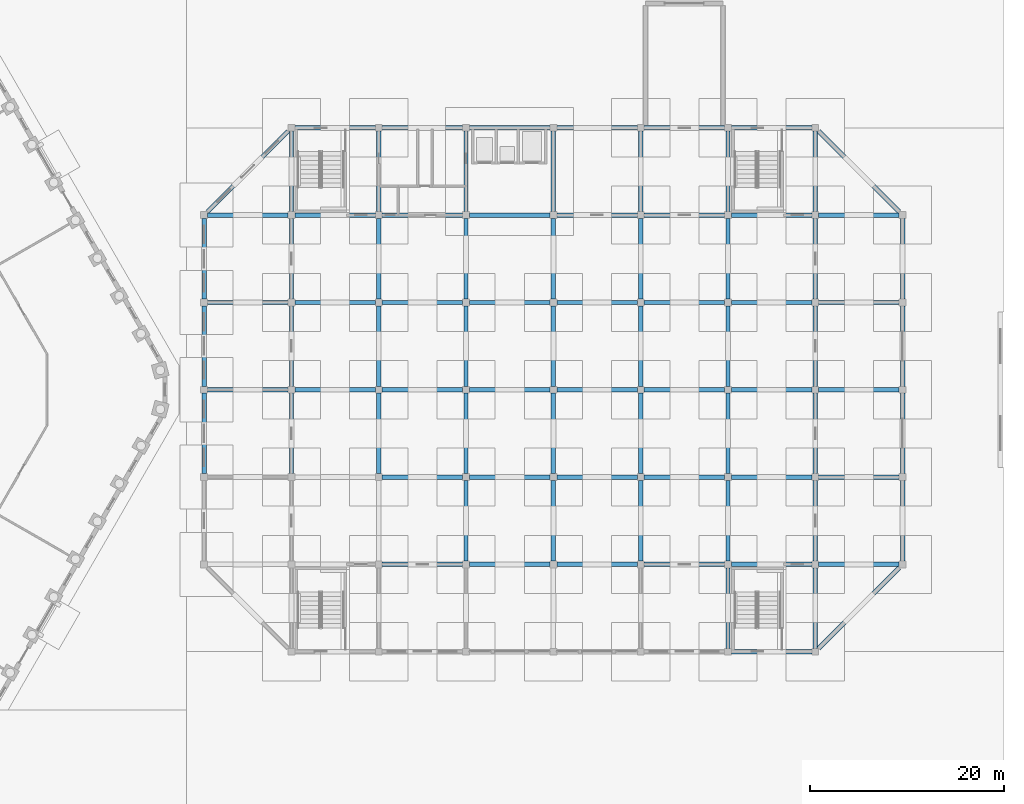
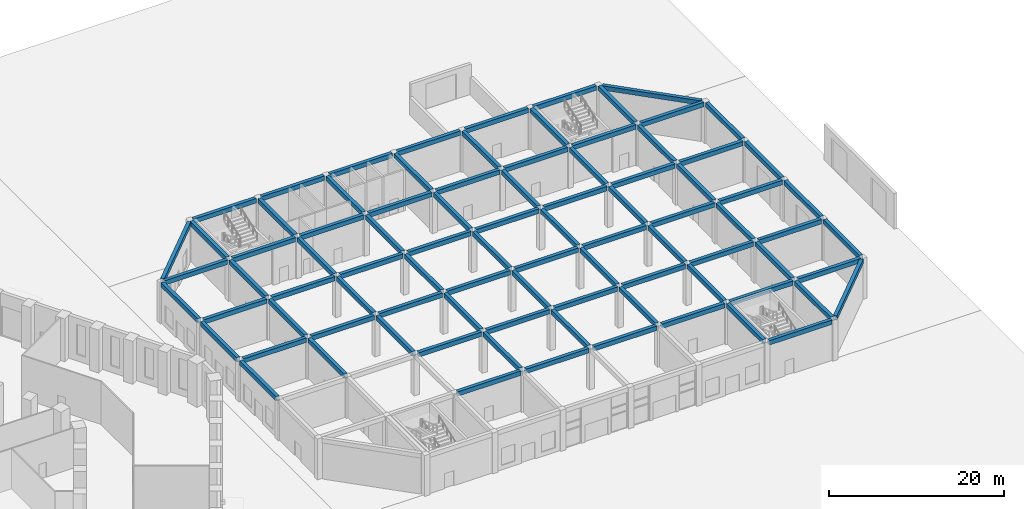
# One storey, part 9 of 44: 88 beams.
"""IFC4 building model written with IfcOpenShell, lengths in metres."""

from ifc_helpers import new_model, si_unit, direction, frame, origin, origin_2d, place, context, subcontext, project, spatial, rectangle, extrude, material, material_profile, profile_set, type_object, element, save


model = new_model("IFC4")

# Units and contexts
model_context = context("Model", 3, precision=1e-05, world=origin(), true_north=direction((0.0, 1.0)))
body_context = subcontext(model_context, "Body", "Model", "MODEL_VIEW")
ifc_project = project(units=[si_unit("LENGTHUNIT", "METRE"), si_unit("AREAUNIT", "SQUARE_METRE"), si_unit("VOLUMEUNIT", "CUBIC_METRE"), si_unit("PLANEANGLEUNIT", "RADIAN"), si_unit("MASSUNIT", "GRAM", prefix="KILO")], contexts=[model_context])

# Site, building, storey
site_placement = place(None, origin())
site = spatial("IfcSite", under=ifc_project, at=site_placement, CompositionType="ELEMENT")
building_placement = place(site_placement, origin())
building = spatial("IfcBuilding", under=site, at=building_placement, Name="Dhurran Vertical Campus", CompositionType="ELEMENT")
storey_placement = place(building_placement, origin())
storey = spatial("IfcBuildingStorey", under=building, at=storey_placement, Name="L00", CompositionType="ELEMENT", Elevation=0.0)

# Beams
ifc_material = material(Name="Concrete C40/50", Category="concrete")
ifc_material_profile = material_profile(ifc_material, rectangle(XDim=0.449951171875, YDim=0.6201171875, at=origin_2d()), Name="hl-girder 450x620")
ifc_profile_set = profile_set([ifc_material_profile], Name="Concrete C40/50")
beam_type = type_object("IfcBeamType", Name="hl-girder 450x620", PredefinedType="BEAM", material=ifc_profile_set)
for number, where, z_axis, x_axis, name in (
    (1, (61.5, -8.64990234375, 5.409912109375), (0.0, 1.0, 0.0), (-1.0, 0.0, 0.0), "Hall girder L00-004"),
    (2, (61.5, 0.35009765625, 5.409912109375), (0.0, 1.0, 0.0), (-1.0, 0.0, 0.0), "Hall girder L00-006"),
    (3, (61.85009765625, 0.0, 5.409912109375), (1.0, 0.0, 0.0), (0.0, 1.0, 0.0), "Hall girder L00-007"),
    (4, (61.5, 9.35009765625, 5.409912109375), (0.0, 1.0, 0.0), (-1.0, 0.0, 0.0), "Hall girder L00-008"),
    (5, (61.85009765625, 9.0, 5.409912109375), (1.0, 0.0, 0.0), (0.0, 1.0, 0.0), "Hall girder L00-009"),
    (6, (61.85009765625, 18.0, 5.409912109375), (1.0, 0.0, 0.0), (0.0, 1.0, 0.0), "Hall girder L00-010"),
    (7, (70.5, -8.64990234375, 5.409912109375), (0.0, 1.0, 0.0), (-1.0, 0.0, 0.0), "Hall girder L00-015"),
    (8, (70.5, 0.35009765625, 5.409912109375), (0.0, 1.0, 0.0), (-1.0, 0.0, 0.0), "Hall girder L00-017"),
    (9, (70.85009765625, 0.0, 5.409912109375), (1.0, 0.0, 0.0), (0.0, 1.0, 0.0), "Hall girder L00-018"),
    (10, (70.5, 9.35009765625, 5.409912109375), (0.0, 1.0, 0.0), (-1.0, 0.0, 0.0), "Hall girder L00-019"),
    (11, (70.85009765625, 9.0, 5.409912109375), (1.0, 0.0, 0.0), (0.0, 1.0, 0.0), "Hall girder L00-020"),
    (12, (70.5, 18.35009765625, 5.409912109375), (0.0, 1.0, 0.0), (-1.0, 0.0, 0.0), "Hall girder L00-021"),
    (13, (70.85009765625, 18.0, 5.409912109375), (1.0, 0.0, 0.0), (0.0, 1.0, 0.0), "Hall girder L00-022"),
):
    element("IfcBeam", number, at=place(storey_placement, frame(where, z_axis=z_axis, x_axis=x_axis)), inside=storey, type_object=beam_type, Name=name, PredefinedType="BEAM", context=body_context, shape_type="SweptSolid", body=[
        extrude(rectangle(XDim=0.449951171875, YDim=0.6201171875, at=origin_2d()), origin(), (0.0, 0.0, 1.0), 8.2998046875),
    ])
beam_1_placement = place(storey_placement, frame((70.14990234375, 26.64990234375, 5.409912109375), z_axis=(-0.707106781187, -0.707106781187, 0.0), x_axis=(0.707106781187, -0.707106781187, 0.0)))
element("IfcBeam", 14, at=beam_1_placement, inside=storey, type_object=beam_type, Name="Hall girder L00-023", PredefinedType="BEAM", context=body_context, shape_type="SweptSolid", body=[
    extrude(rectangle(XDim=0.449951171875, YDim=0.6201171875, at=origin_2d()), origin(), (0.0, 0.0, 1.0), 11.73779296875),
])
for number, where, z_axis, x_axis, name in (
    (15, (70.85009765625, 27.0, 5.409912109375), (1.0, 0.0, 0.0), (0.0, 1.0, 0.0), "Hall girder L00-024"),
    (16, (79.85009765625, -18.0, 5.409912109375), (1.0, 0.0, 0.0), (0.0, 1.0, 0.0), "Hall girder L00-028"),
    (17, (79.5, -8.64990234375, 5.409912109375), (0.0, 1.0, 0.0), (-1.0, 0.0, 0.0), "Hall girder L00-029"),
    (18, (79.85009765625, -9.0, 5.409912109375), (1.0, 0.0, 0.0), (0.0, 1.0, 0.0), "Hall girder L00-030"),
    (19, (79.5, 0.35009765625, 5.409912109375), (0.0, 1.0, 0.0), (-1.0, 0.0, 0.0), "Hall girder L00-031"),
    (20, (79.85009765625, 0.0, 5.409912109375), (1.0, 0.0, 0.0), (0.0, 1.0, 0.0), "Hall girder L00-032"),
    (21, (79.5, 9.35009765625, 5.409912109375), (0.0, 1.0, 0.0), (-1.0, 0.0, 0.0), "Hall girder L00-033"),
    (22, (79.85009765625, 9.0, 5.409912109375), (1.0, 0.0, 0.0), (0.0, 1.0, 0.0), "Hall girder L00-034"),
    (23, (79.5, 18.35009765625, 5.409912109375), (0.0, 1.0, 0.0), (-1.0, 0.0, 0.0), "Hall girder L00-035"),
    (24, (79.85009765625, 18.0, 5.409912109375), (1.0, 0.0, 0.0), (0.0, 1.0, 0.0), "Hall girder L00-036"),
    (25, (79.85009765625, 27.0, 5.409912109375), (1.0, 0.0, 0.0), (0.0, 1.0, 0.0), "Hall girder L00-037"),
    (26, (88.5, -17.64990234375, 5.409912109375), (0.0, 1.0, 0.0), (-1.0, 0.0, 0.0), "Hall girder L00-040"),
    (27, (88.85009765625, -18.0, 5.409912109375), (1.0, 0.0, 0.0), (0.0, 1.0, 0.0), "Hall girder L00-041"),
    (28, (88.5, -8.64990234375, 5.409912109375), (0.0, 1.0, 0.0), (-1.0, 0.0, 0.0), "Hall girder L00-042"),
    (29, (88.85009765625, -9.0, 5.409912109375), (1.0, 0.0, 0.0), (0.0, 1.0, 0.0), "Hall girder L00-043"),
    (30, (88.5, 0.35009765625, 5.409912109375), (0.0, 1.0, 0.0), (-1.0, 0.0, 0.0), "Hall girder L00-044"),
    (31, (88.85009765625, 0.0, 5.409912109375), (1.0, 0.0, 0.0), (0.0, 1.0, 0.0), "Hall girder L00-045"),
    (32, (88.5, 9.35009765625, 5.409912109375), (0.0, 1.0, 0.0), (-1.0, 0.0, 0.0), "Hall girder L00-046"),
    (33, (88.85009765625, 9.0, 5.409912109375), (1.0, 0.0, 0.0), (0.0, 1.0, 0.0), "Hall girder L00-047"),
    (34, (88.5, 18.35009765625, 5.409912109375), (0.0, 1.0, 0.0), (-1.0, 0.0, 0.0), "Hall girder L00-048"),
    (35, (88.85009765625, 18.0, 5.409912109375), (1.0, 0.0, 0.0), (0.0, 1.0, 0.0), "Hall girder L00-049"),
    (36, (88.85009765625, 27.0, 5.409912109375), (1.0, 0.0, 0.0), (0.0, 1.0, 0.0), "Hall girder L00-050"),
    (37, (97.5, -17.64990234375, 5.409912109375), (0.0, 1.0, 0.0), (-1.0, 0.0, 0.0), "Hall girder L00-053"),
    (38, (97.85009765625, -18.0, 5.409912109375), (1.0, 0.0, 0.0), (0.0, 1.0, 0.0), "Hall girder L00-054"),
    (39, (97.5, -8.64990234375, 5.409912109375), (0.0, 1.0, 0.0), (-1.0, 0.0, 0.0), "Hall girder L00-055"),
    (40, (97.85009765625, -9.0, 5.409912109375), (1.0, 0.0, 0.0), (0.0, 1.0, 0.0), "Hall girder L00-056"),
    (41, (97.5, 0.35009765625, 5.409912109375), (0.0, 1.0, 0.0), (-1.0, 0.0, 0.0), "Hall girder L00-057"),
    (42, (97.85009765625, 0.0, 5.409912109375), (1.0, 0.0, 0.0), (0.0, 1.0, 0.0), "Hall girder L00-058"),
    (43, (97.5, 9.35009765625, 5.409912109375), (0.0, 1.0, 0.0), (-1.0, 0.0, 0.0), "Hall girder L00-059"),
    (44, (97.85009765625, 9.0, 5.409912109375), (1.0, 0.0, 0.0), (0.0, 1.0, 0.0), "Hall girder L00-060"),
    (45, (97.5, 18.35009765625, 5.409912109375), (0.0, 1.0, 0.0), (-1.0, 0.0, 0.0), "Hall girder L00-061"),
    (46, (97.85009765625, 18.0, 5.409912109375), (1.0, 0.0, 0.0), (0.0, 1.0, 0.0), "Hall girder L00-062"),
    (47, (97.85009765625, 27.0, 5.409912109375), (1.0, 0.0, 0.0), (0.0, 1.0, 0.0), "Hall girder L00-063"),
    (48, (106.5, -17.64990234375, 5.409912109375), (0.0, 1.0, 0.0), (-1.0, 0.0, 0.0), "Hall girder L00-066"),
    (49, (106.85009765625, -18.0, 5.409912109375), (1.0, 0.0, 0.0), (0.0, 1.0, 0.0), "Hall girder L00-067"),
    (50, (106.5, -8.64990234375, 5.409912109375), (0.0, 1.0, 0.0), (-1.0, 0.0, 0.0), "Hall girder L00-068"),
    (51, (106.85009765625, -9.0, 5.409912109375), (1.0, 0.0, 0.0), (0.0, 1.0, 0.0), "Hall girder L00-069"),
    (52, (106.5, 0.35009765625, 5.409912109375), (0.0, 1.0, 0.0), (-1.0, 0.0, 0.0), "Hall girder L00-070"),
    (53, (106.85009765625, 0.0, 5.409912109375), (1.0, 0.0, 0.0), (0.0, 1.0, 0.0), "Hall girder L00-071"),
    (54, (106.5, 9.35009765625, 5.409912109375), (0.0, 1.0, 0.0), (-1.0, 0.0, 0.0), "Hall girder L00-072"),
    (55, (106.85009765625, 9.0, 5.409912109375), (1.0, 0.0, 0.0), (0.0, 1.0, 0.0), "Hall girder L00-073"),
    (56, (106.5, 18.35009765625, 5.409912109375), (0.0, 1.0, 0.0), (-1.0, 0.0, 0.0), "Hall girder L00-074"),
    (57, (106.85009765625, 18.0, 5.409912109375), (1.0, 0.0, 0.0), (0.0, 1.0, 0.0), "Hall girder L00-075"),
    (58, (106.85009765625, 27.0, 5.409912109375), (1.0, 0.0, 0.0), (0.0, 1.0, 0.0), "Hall girder L00-076"),
    (59, (115.5, -26.64990234375, 5.409912109375), (0.0, 1.0, 0.0), (-1.0, 0.0, 0.0), "Hall girder L00-077"),
    (60, (115.85009765625, -27.0, 5.409912109375), (1.0, 0.0, 0.0), (0.0, 1.0, 0.0), "Hall girder L00-078"),
    (61, (115.5, -17.64990234375, 5.409912109375), (0.0, 1.0, 0.0), (-1.0, 0.0, 0.0), "Hall girder L00-079"),
    (62, (115.85009765625, -18.0, 5.409912109375), (1.0, 0.0, 0.0), (0.0, 1.0, 0.0), "Hall girder L00-080"),
    (63, (115.5, -8.64990234375, 5.409912109375), (0.0, 1.0, 0.0), (-1.0, 0.0, 0.0), "Hall girder L00-081"),
    (64, (115.85009765625, -9.0, 5.409912109375), (1.0, 0.0, 0.0), (0.0, 1.0, 0.0), "Hall girder L00-082"),
    (65, (115.5, 0.35009765625, 5.409912109375), (0.0, 1.0, 0.0), (-1.0, 0.0, 0.0), "Hall girder L00-083"),
    (66, (115.85009765625, 0.0, 5.409912109375), (1.0, 0.0, 0.0), (0.0, 1.0, 0.0), "Hall girder L00-084"),
    (67, (115.5, 9.35009765625, 5.409912109375), (0.0, 1.0, 0.0), (-1.0, 0.0, 0.0), "Hall girder L00-085"),
    (68, (115.85009765625, 9.0, 5.409912109375), (1.0, 0.0, 0.0), (0.0, 1.0, 0.0), "Hall girder L00-086"),
    (69, (115.5, 18.35009765625, 5.409912109375), (0.0, 1.0, 0.0), (-1.0, 0.0, 0.0), "Hall girder L00-087"),
    (70, (115.85009765625, 18.0, 5.409912109375), (1.0, 0.0, 0.0), (0.0, 1.0, 0.0), "Hall girder L00-088"),
    (71, (115.85009765625, 27.0, 5.409912109375), (1.0, 0.0, 0.0), (0.0, 1.0, 0.0), "Hall girder L00-089"),
    (72, (124.5, -26.64990234375, 5.409912109375), (0.0, 1.0, 0.0), (-1.0, 0.0, 0.0), "Hall girder L00-090"),
):
    element("IfcBeam", number, at=place(storey_placement, frame(where, z_axis=z_axis, x_axis=x_axis)), inside=storey, type_object=beam_type, Name=name, PredefinedType="BEAM", context=body_context, shape_type="SweptSolid", body=[
        extrude(rectangle(XDim=0.449951171875, YDim=0.6201171875, at=origin_2d()), origin(), (0.0, 0.0, 1.0), 8.2998046875),
    ])
beam_2_placement = place(storey_placement, frame((124.85009765625, -26.64990234375, 5.409912109375), z_axis=(0.707106781187, 0.707106781187, 0.0), x_axis=(-0.707106781187, 0.707106781187, 0.0)))
element("IfcBeam", 73, at=beam_2_placement, inside=storey, type_object=beam_type, Name="Hall girder L00-091", PredefinedType="BEAM", context=body_context, shape_type="SweptSolid", body=[
    extrude(rectangle(XDim=0.449951171875, YDim=0.6201171875, at=origin_2d()), origin(), (0.0, 0.0, 1.0), 11.73779296875),
])
for number, where, z_axis, x_axis, name in (
    (74, (124.5, -17.64990234375, 5.409912109375), (0.0, 1.0, 0.0), (-1.0, 0.0, 0.0), "Hall girder L00-092"),
    (75, (124.85009765625, -18.0, 5.409912109375), (1.0, 0.0, 0.0), (0.0, 1.0, 0.0), "Hall girder L00-093"),
    (76, (124.5, -8.64990234375, 5.409912109375), (0.0, 1.0, 0.0), (-1.0, 0.0, 0.0), "Hall girder L00-094"),
    (77, (124.85009765625, -9.0, 5.409912109375), (1.0, 0.0, 0.0), (0.0, 1.0, 0.0), "Hall girder L00-095"),
    (78, (124.5, 0.35009765625, 5.409912109375), (0.0, 1.0, 0.0), (-1.0, 0.0, 0.0), "Hall girder L00-096"),
    (79, (124.85009765625, 0.0, 5.409912109375), (1.0, 0.0, 0.0), (0.0, 1.0, 0.0), "Hall girder L00-097"),
    (80, (124.5, 9.35009765625, 5.409912109375), (0.0, 1.0, 0.0), (-1.0, 0.0, 0.0), "Hall girder L00-098"),
    (81, (124.85009765625, 9.0, 5.409912109375), (1.0, 0.0, 0.0), (0.0, 1.0, 0.0), "Hall girder L00-099"),
    (82, (124.5, 18.35009765625, 5.409912109375), (0.0, 1.0, 0.0), (-1.0, 0.0, 0.0), "Hall girder L00-100"),
    (83, (124.85009765625, 18.0, 5.409912109375), (1.0, 0.0, 0.0), (0.0, 1.0, 0.0), "Hall girder L00-101"),
    (84, (133.5, -17.64990234375, 5.409912109375), (0.0, 1.0, 0.0), (-1.0, 0.0, 0.0), "Hall girder L00-102"),
    (85, (133.5, -8.64990234375, 5.409912109375), (0.0, 1.0, 0.0), (-1.0, 0.0, 0.0), "Hall girder L00-103"),
    (86, (133.5, 0.35009765625, 5.409912109375), (0.0, 1.0, 0.0), (-1.0, 0.0, 0.0), "Hall girder L00-104"),
    (87, (133.5, 9.35009765625, 5.409912109375), (0.0, 1.0, 0.0), (-1.0, 0.0, 0.0), "Hall girder L00-105"),
):
    element("IfcBeam", number, at=place(storey_placement, frame(where, z_axis=z_axis, x_axis=x_axis)), inside=storey, type_object=beam_type, Name=name, PredefinedType="BEAM", context=body_context, shape_type="SweptSolid", body=[
        extrude(rectangle(XDim=0.449951171875, YDim=0.6201171875, at=origin_2d()), origin(), (0.0, 0.0, 1.0), 8.2998046875),
    ])
beam_3_placement = place(storey_placement, frame((133.14990234375, 18.35009765625, 5.409912109375), z_axis=(-0.707106781187, 0.707106781187, 0.0), x_axis=(-0.707106781187, -0.707106781187, 0.0)))
element("IfcBeam", 88, at=beam_3_placement, inside=storey, type_object=beam_type, Name="Hall girder L00-106", PredefinedType="BEAM", context=body_context, shape_type="SweptSolid", body=[
    extrude(rectangle(XDim=0.449951171875, YDim=0.6201171875, at=origin_2d()), origin(), (0.0, 0.0, 1.0), 11.73779296875),
])

save(model, "model.ifc")
